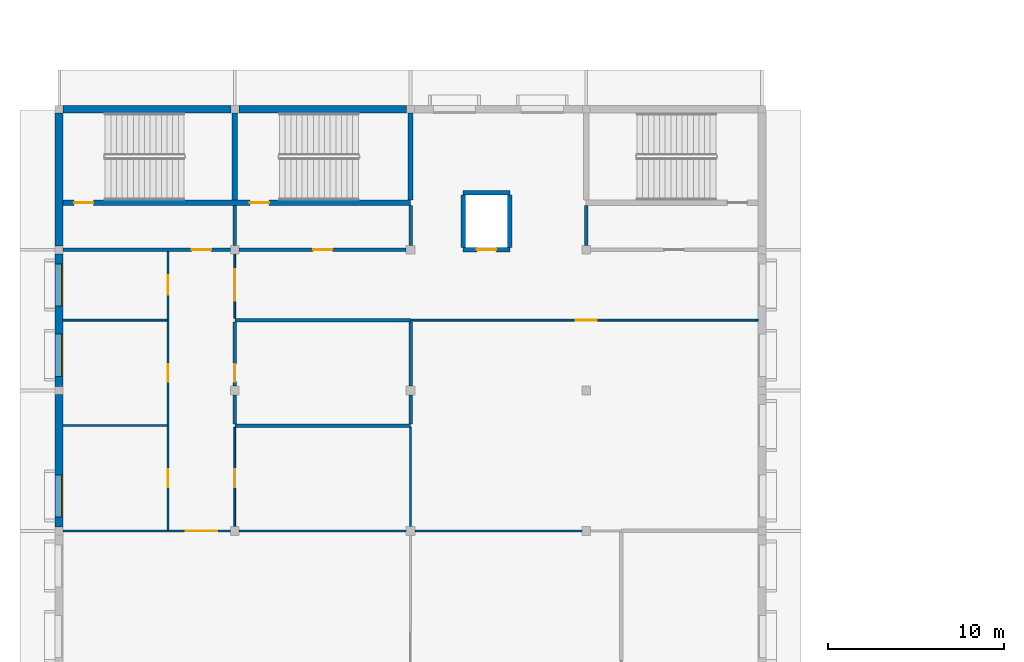
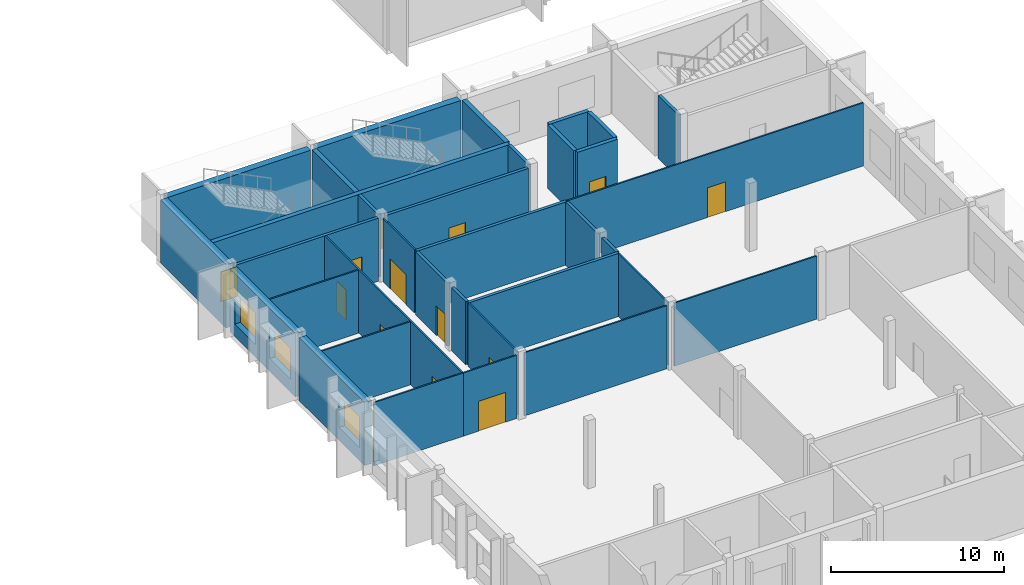
# One storey, part 121 of 182: 34 walls, 13 doors, 3 windows, 16 openings.
"""IFC4 building model written with IfcOpenShell, lengths in metres."""

from ifc_helpers import new_model, si_unit, direction, frame, frame_2d, origin, place, context, subcontext, project, spatial, rectangle, extrude, material, layer, layer_set, type_object, element, fill, save


model = new_model("IFC4")

# Units and contexts
model_context = context("Model", 3, precision=1e-05, world=origin(), true_north=direction((0.0, 1.0)))
body_context = subcontext(model_context, "Body", "Model", "MODEL_VIEW")
ifc_project = project(units=[si_unit("LENGTHUNIT", "METRE"), si_unit("AREAUNIT", "SQUARE_METRE"), si_unit("VOLUMEUNIT", "CUBIC_METRE"), si_unit("PLANEANGLEUNIT", "RADIAN"), si_unit("MASSUNIT", "GRAM", prefix="KILO")], contexts=[model_context])

# Site, building, storey
site_placement = place(None, origin())
site = spatial("IfcSite", under=ifc_project, at=site_placement, CompositionType="ELEMENT")
building_placement = place(site_placement, origin())
building = spatial("IfcBuilding", under=site, at=building_placement, Name="Okhra Congress Centre", CompositionType="ELEMENT")
storey_placement = place(building_placement, frame((0.0, 0.0, 7.199951171875)))
storey = spatial("IfcBuildingStorey", under=building, at=storey_placement, Name="L01", CompositionType="ELEMENT", Elevation=7.199951171875)

# Wall, opening, window
ifc_material_1 = material(Name="Insulated metal panel on steel stud (mineral wool, vapour barrier)", Category="steel")
ifc_layer_1 = layer(ifc_material_1, 0.449951171875)
ifc_layer_set_1 = layer_set([ifc_layer_1], Name="Insulated wall 450")
wall_type_1 = type_object("IfcWallType", Name="Insulated wall 450", PredefinedType="SOLIDWALL", material=ifc_layer_set_1)
wall_1_placement = place(storey_placement, frame((6.0, 67.77490234375, 0.0), z_axis=(0.0, 0.0, 1.0), x_axis=(0.0, -1.0, 0.0)))
wall_1 = element("IfcWall", 1, at=wall_1_placement, inside=storey, type_object=wall_type_1, Name="RS.WALL.L01.34", PredefinedType="SOLIDWALL", context=body_context, shape_type="SweptSolid", body=[
    extrude(rectangle(XDim=7.5498046875, YDim=0.449951171875, at=frame_2d((3.77490234375, 0.0))), origin(), (0.0, 0.0, 1.0), 4.449951171875),
])
opening_1_placement = place(wall_1_placement, frame((4.574951171875, 0.0, 0.89990234375)))
opening_1 = element("IfcOpeningElement", 2, at=opening_1_placement, cuts=wall_1, Name="Opening WN17", PredefinedType="OPENING", context=body_context, shape_type="SweptSolid", body=[
    extrude(rectangle(XDim=2.39990234375, YDim=2.199951171875, at=frame_2d((1.199951171875, 1.10009765625))), frame((0.0, 0.23486328125, 0.0), z_axis=(0.0, -1.0, 0.0), x_axis=(1.0, 0.0, 0.0)), (0.0, 0.0, 1.0), 0.469970703125),
])
ifc_material_2 = material(Name="Thermally broken aluminium frame, triple glazing", Category="aluminium")
window_type = type_object("IfcWindowType", Name="Tilt-and-turn window 2400x2200", PartitioningType="SINGLE_PANEL", PredefinedType="WINDOW", material=ifc_material_2)
window_1_placement = place(opening_1_placement, origin())
window_1 = element("IfcWindow", 3, at=window_1_placement, inside=storey, type_object=window_type, Name="RS.WIN.L01.14", OverallHeight=2.199951171875, OverallWidth=2.39990234375, PartitioningType="SINGLE_PANEL", PredefinedType="WINDOW", context=body_context, shape_type="SweptSolid", body=[
    extrude(rectangle(XDim=2.39990234375, YDim=2.199951171875, at=frame_2d((1.199951171875, 1.10009765625))), frame((0.0, 0.215087890625, 0.0), z_axis=(0.0, -1.0, 0.0), x_axis=(1.0, 0.0, 0.0)), (0.0, 0.0, 1.0), 0.06005859375),
])
fill(opening_1, window_1)

# Wall, openings, windows
wall_2_placement = place(storey_placement, frame((6.0, 75.77490234375, 0.0), z_axis=(0.0, 0.0, 1.0), x_axis=(0.0, -1.0, 0.0)))
wall_2 = element("IfcWall", 4, at=wall_2_placement, inside=storey, type_object=wall_type_1, Name="RS.WALL.L01.35", PredefinedType="SOLIDWALL", context=body_context, shape_type="SweptSolid", body=[
    extrude(rectangle(XDim=7.5498046875, YDim=0.449951171875, at=frame_2d((3.77490234375, 0.0))), origin(), (0.0, 0.0, 1.0), 4.449951171875),
])
opening_2_placement = place(wall_2_placement, frame((4.574951171875, 0.0, 0.89990234375)))
opening_2 = element("IfcOpeningElement", 5, at=opening_2_placement, cuts=wall_2, Name="Opening WN17", PredefinedType="OPENING", context=body_context, shape_type="SweptSolid", body=[
    extrude(rectangle(XDim=2.39990234375, YDim=2.199951171875, at=frame_2d((1.199951171875, 1.10009765625))), frame((0.0, 0.23486328125, 0.0), z_axis=(0.0, -1.0, 0.0), x_axis=(1.0, 0.0, 0.0)), (0.0, 0.0, 1.0), 0.469970703125),
])
opening_3_placement = place(wall_2_placement, frame((0.574951171875, 0.0, 0.89990234375)))
opening_3 = element("IfcOpeningElement", 6, at=opening_3_placement, cuts=wall_2, Name="Opening WN17", PredefinedType="OPENING", context=body_context, shape_type="SweptSolid", body=[
    extrude(rectangle(XDim=2.39990234375, YDim=2.199951171875, at=frame_2d((1.199951171875, 1.10009765625))), frame((0.0, 0.23486328125, 0.0), z_axis=(0.0, -1.0, 0.0), x_axis=(1.0, 0.0, 0.0)), (0.0, 0.0, 1.0), 0.469970703125),
])
window_2_placement = place(opening_2_placement, origin())
window_2 = element("IfcWindow", 7, at=window_2_placement, inside=storey, type_object=window_type, Name="RS.WIN.L01.15", OverallHeight=2.199951171875, OverallWidth=2.39990234375, PartitioningType="SINGLE_PANEL", PredefinedType="WINDOW", context=body_context, shape_type="SweptSolid", body=[
    extrude(rectangle(XDim=2.39990234375, YDim=2.199951171875, at=frame_2d((1.199951171875, 1.10009765625))), frame((0.0, 0.215087890625, 0.0), z_axis=(0.0, -1.0, 0.0), x_axis=(1.0, 0.0, 0.0)), (0.0, 0.0, 1.0), 0.06005859375),
])
fill(opening_2, window_2)
window_3_placement = place(opening_3_placement, origin())
window_3 = element("IfcWindow", 8, at=window_3_placement, inside=storey, type_object=window_type, Name="RS.WIN.L01.16", OverallHeight=2.199951171875, OverallWidth=2.39990234375, PartitioningType="SINGLE_PANEL", PredefinedType="WINDOW", context=body_context, shape_type="SweptSolid", body=[
    extrude(rectangle(XDim=2.39990234375, YDim=2.199951171875, at=frame_2d((1.199951171875, 1.10009765625))), frame((0.0, 0.215087890625, 0.0), z_axis=(0.0, -1.0, 0.0), x_axis=(1.0, 0.0, 0.0)), (0.0, 0.0, 1.0), 0.06005859375),
])
fill(opening_3, window_3)

# Walls
ifc_material_3 = material(Name="Masonry blockwork (aerated concrete D500)", Category="masonry")
ifc_layer_2 = layer(ifc_material_3, 0.199951171875)
ifc_layer_set_2 = layer_set([ifc_layer_2], Name="Masonry block wall 200 EI 45")
wall_type_2 = type_object("IfcWallType", Name="Masonry block wall 200 EI 45", PredefinedType="SOLIDWALL", material=ifc_layer_set_2)
for number, where, z_axis, x_axis, name in (
    (9, (16.0, 66.0, 0.0), (0.0, 0.0, 1.0), (1.0, 0.0, 0.0), "RS.WALL.L01.16"),
    (10, (16.0, 72.0, 0.0), (0.0, 0.0, 1.0), (1.0, 0.0, 0.0), "RS.WALL.L01.18"),
):
    element("IfcWall", number, at=place(storey_placement, frame(where, z_axis=z_axis, x_axis=x_axis)), inside=storey, type_object=wall_type_2, Name=name, PredefinedType="SOLIDWALL", context=body_context, shape_type="SweptSolid", body=[
        extrude(rectangle(XDim=10.0, YDim=0.199951171875, at=frame_2d((5.0, 0.0))), origin(), (0.0, 0.0, 1.0), 4.449951171875),
    ])

# Wall, opening, door
wall_3_placement = place(storey_placement, frame((6.22509765625, 76.0, 0.0), z_axis=(0.0, 0.0, 1.0), x_axis=(1.0, 0.0, 0.0)))
wall_3 = element("IfcWall", 11, at=wall_3_placement, inside=storey, type_object=wall_type_2, Name="RS.WALL.L01.20", PredefinedType="SOLIDWALL", context=body_context, shape_type="SweptSolid", body=[
    extrude(rectangle(XDim=9.52490234375, YDim=0.199951171875, at=frame_2d((4.762451171875, 0.0))), origin(), (0.0, 0.0, 1.0), 4.449951171875),
])
opening_4_placement = place(wall_3_placement, frame((7.324951171875, 0.0, 0.0)))
opening_4 = element("IfcOpeningElement", 12, at=opening_4_placement, cuts=wall_3, Name="Opening L01-052", PredefinedType="OPENING", context=body_context, shape_type="SweptSolid", body=[
    extrude(rectangle(XDim=1.10009765625, YDim=2.10009765625, at=frame_2d((0.550048828125, 1.050048828125))), frame((0.0, 0.10986328125, 0.0), z_axis=(0.0, -1.0, 0.0), x_axis=(1.0, 0.0, 0.0)), (0.0, 0.0, 1.0), 0.219970703125),
])
ifc_material_4 = material(Name="Steel fire door leaf in steel frame, intumescent seals", Category="steel")
door_type_1 = type_object("IfcDoorType", Name="Steel fire door 1100x2100 EI 30", OperationType="NOTDEFINED", PredefinedType="DOOR", material=ifc_material_4)
door_1_placement = place(opening_4_placement, origin())
door_1 = element("IfcDoor", 13, at=door_1_placement, inside=storey, type_object=door_type_1, Name="Door L01-052", OperationType="SINGLE_SWING_LEFT", OverallHeight=2.10009765625, OverallWidth=1.10009765625, PredefinedType="DOOR", context=body_context, shape_type="SweptSolid", body=[
    extrude(rectangle(XDim=1.10009765625, YDim=2.10009765625, at=frame_2d((0.550048828125, 1.050048828125))), frame((0.0, 0.02490234375, 0.0), z_axis=(0.0, -1.0, 0.0), x_axis=(1.0, 0.0, 0.0)), (0.0, 0.0, 1.0), 0.050048828125),
])
fill(opening_4, door_1)

wall_4_placement = place(storey_placement, frame((16.25, 76.0, 0.0), z_axis=(0.0, 0.0, 1.0), x_axis=(1.0, 0.0, 0.0)))
wall_4 = element("IfcWall", 14, at=wall_4_placement, inside=storey, type_object=wall_type_2, Name="RS.WALL.L01.21", PredefinedType="SOLIDWALL", context=body_context, shape_type="SweptSolid", body=[
    extrude(rectangle(XDim=9.5, YDim=0.199951171875, at=frame_2d((4.75, 0.0))), origin(), (0.0, 0.0, 1.0), 4.449951171875),
])
opening_5_placement = place(wall_4_placement, frame((4.199951171875, 0.0, 0.0)))
opening_5 = element("IfcOpeningElement", 15, at=opening_5_placement, cuts=wall_4, Name="Opening L01-054", PredefinedType="OPENING", context=body_context, shape_type="SweptSolid", body=[
    extrude(rectangle(XDim=1.10009765625, YDim=2.10009765625, at=frame_2d((0.550048828125, 1.050048828125))), frame((0.0, 0.10986328125, 0.0), z_axis=(0.0, -1.0, 0.0), x_axis=(1.0, 0.0, 0.0)), (0.0, 0.0, 1.0), 0.219970703125),
])
door_2_placement = place(opening_5_placement, origin())
door_2 = element("IfcDoor", 16, at=door_2_placement, inside=storey, type_object=door_type_1, Name="Door L01-054", OperationType="SINGLE_SWING_LEFT", OverallHeight=2.10009765625, OverallWidth=1.10009765625, PredefinedType="DOOR", context=body_context, shape_type="SweptSolid", body=[
    extrude(rectangle(XDim=1.10009765625, YDim=2.10009765625, at=frame_2d((0.550048828125, 1.050048828125))), frame((0.0, 0.02490234375, 0.0), z_axis=(0.0, -1.0, 0.0), x_axis=(1.0, 0.0, 0.0)), (0.0, 0.0, 1.0), 0.050048828125),
])
fill(opening_5, door_2)

# Wall
wall_5_placement = place(storey_placement, frame((16.0, 66.10009765625, 0.0), z_axis=(0.0, 0.0, 1.0), x_axis=(0.0, 1.0, 0.0)))
element("IfcWall", 17, at=wall_5_placement, inside=storey, type_object=wall_type_2, Name="RS.WALL.L01.41", PredefinedType="SOLIDWALL", context=body_context, shape_type="SweptSolid", body=[
    extrude(rectangle(XDim=1.64990234375, YDim=0.199951171875, at=frame_2d((0.824951171875, 0.0))), origin(), (0.0, 0.0, 1.0), 4.449951171875),
])

# Wall, opening, door
wall_6_placement = place(storey_placement, frame((16.0, 68.25, 0.0), z_axis=(0.0, 0.0, 1.0), x_axis=(0.0, 1.0, 0.0)))
wall_6 = element("IfcWall", 18, at=wall_6_placement, inside=storey, type_object=wall_type_2, Name="RS.WALL.L01.42", PredefinedType="SOLIDWALL", context=body_context, shape_type="SweptSolid", body=[
    extrude(rectangle(XDim=3.64990234375, YDim=0.199951171875, at=frame_2d((1.824951171875, 0.0))), origin(), (0.0, 0.0, 1.0), 4.449951171875),
])
opening_6_placement = place(wall_6_placement, frame((0.25, 0.0, 0.0)))
opening_6 = element("IfcOpeningElement", 19, at=opening_6_placement, cuts=wall_6, Name="Opening L01-073", PredefinedType="OPENING", context=body_context, shape_type="SweptSolid", body=[
    extrude(rectangle(XDim=1.0, YDim=2.10009765625, at=frame_2d((0.5, 1.050048828125))), frame((0.0, 0.10986328125, 0.0), z_axis=(0.0, -1.0, 0.0), x_axis=(1.0, 0.0, 0.0)), (0.0, 0.0, 1.0), 0.219970703125),
])
door_type_2 = type_object("IfcDoorType", Name="Steel fire door 1000x2100 EI 30", OperationType="NOTDEFINED", PredefinedType="DOOR", material=ifc_material_4)
door_3_placement = place(opening_6_placement, origin())
door_3 = element("IfcDoor", 20, at=door_3_placement, inside=storey, type_object=door_type_2, Name="Door L01-073", OperationType="SINGLE_SWING_RIGHT", OverallHeight=2.10009765625, OverallWidth=1.0, PredefinedType="DOOR", context=body_context, shape_type="SweptSolid", body=[
    extrude(rectangle(XDim=1.0, YDim=2.10009765625, at=frame_2d((0.5, 1.050048828125))), frame((0.0, 0.02490234375, 0.0), z_axis=(0.0, -1.0, 0.0), x_axis=(1.0, 0.0, 0.0)), (0.0, 0.0, 1.0), 0.050048828125),
])
fill(opening_6, door_3)

# Walls
wall_7_placement = place(storey_placement, frame((16.0, 76.25, 0.0), z_axis=(0.0, 0.0, 1.0), x_axis=(0.0, 1.0, 0.0)))
element("IfcWall", 21, at=wall_7_placement, inside=storey, type_object=wall_type_2, Name="RS.WALL.L01.44", PredefinedType="SOLIDWALL", context=body_context, shape_type="SweptSolid", body=[
    extrude(rectangle(XDim=2.27490234375, YDim=0.199951171875, at=frame_2d((1.137451171875, 0.0))), origin(), (0.0, 0.0, 1.0), 4.449951171875),
])
wall_8_placement = place(storey_placement, frame((26.0, 66.10009765625, 0.0), z_axis=(0.0, 0.0, 1.0), x_axis=(0.0, 1.0, 0.0)))
element("IfcWall", 22, at=wall_8_placement, inside=storey, type_object=wall_type_2, Name="RS.WALL.L01.52", PredefinedType="SOLIDWALL", context=body_context, shape_type="SweptSolid", body=[
    extrude(rectangle(XDim=1.64990234375, YDim=0.199951171875, at=frame_2d((0.824951171875, 0.0))), origin(), (0.0, 0.0, 1.0), 4.449951171875),
])
wall_9_placement = place(storey_placement, frame((26.0, 68.25, 0.0), z_axis=(0.0, 0.0, 1.0), x_axis=(0.0, 1.0, 0.0)))
element("IfcWall", 23, at=wall_9_placement, inside=storey, type_object=wall_type_2, Name="RS.WALL.L01.53", PredefinedType="SOLIDWALL", context=body_context, shape_type="SweptSolid", body=[
    extrude(rectangle(XDim=3.64990234375, YDim=0.199951171875, at=frame_2d((1.824951171875, 0.0))), origin(), (0.0, 0.0, 1.0), 4.449951171875),
])
for number, where, z_axis, x_axis, name in (
    (24, (26.0, 76.25, 0.0), (0.0, 0.0, 1.0), (0.0, 1.0, 0.0), "RS.WALL.L01.54"),
    (25, (36.0, 76.25, 0.0), (0.0, 0.0, 1.0), (0.0, 1.0, 0.0), "RS.WALL.L01.60"),
):
    element("IfcWall", number, at=place(storey_placement, frame(where, z_axis=z_axis, x_axis=x_axis)), inside=storey, type_object=wall_type_2, Name=name, PredefinedType="SOLIDWALL", context=body_context, shape_type="SweptSolid", body=[
        extrude(rectangle(XDim=2.27490234375, YDim=0.199951171875, at=frame_2d((1.137451171875, 0.0))), origin(), (0.0, 0.0, 1.0), 4.449951171875),
    ])
ifc_material_5 = material(Name="Gypsum board on steel studs", Category="steel")
ifc_layer_3 = layer(ifc_material_5, 0.10009765625)
ifc_layer_set_3 = layer_set([ifc_layer_3], Name="Partition 100 EI 15")
wall_type_3 = type_object("IfcWallType", Name="Partition 100 EI 15", PredefinedType="PARTITIONING", material=ifc_layer_set_3)
wall_10_placement = place(storey_placement, frame((6.22509765625, 60.0, 0.0), z_axis=(0.0, 0.0, 1.0), x_axis=(1.0, 0.0, 0.0)))
element("IfcWall", 26, at=wall_10_placement, inside=storey, type_object=wall_type_3, Name="RS.WALL.L01.9", PredefinedType="PARTITIONING", context=body_context, shape_type="SweptSolid", body=[
    extrude(rectangle(XDim=5.974853515625, YDim=0.10009765625, at=frame_2d((2.9873046875, 0.0))), origin(), (0.0, 0.0, 1.0), 4.449951171875),
])

# Wall, opening, door
wall_11_placement = place(storey_placement, frame((12.199951171875, 60.0, 0.0), z_axis=(0.0, 0.0, 1.0), x_axis=(1.0, 0.0, 0.0)))
wall_11 = element("IfcWall", 27, at=wall_11_placement, inside=storey, type_object=wall_type_3, Name="RS.WALL.L01.10", PredefinedType="PARTITIONING", context=body_context, shape_type="SweptSolid", body=[
    extrude(rectangle(XDim=3.550048828125, YDim=0.10009765625, at=frame_2d((1.77490234375, 0.0))), origin(), (0.0, 0.0, 1.0), 4.449951171875),
])
opening_7_placement = place(wall_11_placement, frame((1.0, 0.0, 0.0)))
opening_7 = element("IfcOpeningElement", 28, at=opening_7_placement, cuts=wall_11, Name="Opening L01-069", PredefinedType="OPENING", context=body_context, shape_type="SweptSolid", body=[
    extrude(rectangle(XDim=1.800048828125, YDim=2.10009765625, at=frame_2d((0.89990234375, 1.050048828125))), frame((0.0, 0.06005859375, 0.0), z_axis=(0.0, -1.0, 0.0), x_axis=(1.0, 0.0, 0.0)), (0.0, 0.0, 1.0), 0.1201171875),
])
ifc_material_6 = material(Name="Timber door leaves in steel frame", Category="steel")
door_type_3 = type_object("IfcDoorType", Name="Double swing door 1800x2100", OperationType="NOTDEFINED", PredefinedType="DOOR", material=ifc_material_6)
door_4_placement = place(opening_7_placement, origin())
door_4 = element("IfcDoor", 29, at=door_4_placement, inside=storey, type_object=door_type_3, Name="Door L01-069", OperationType="DOUBLE_DOOR_SINGLE_SWING", OverallHeight=2.10009765625, OverallWidth=1.800048828125, PredefinedType="DOOR", context=body_context, shape_type="SweptSolid", body=[
    extrude(rectangle(XDim=1.800048828125, YDim=2.10009765625, at=frame_2d((0.89990234375, 1.050048828125))), frame((0.0, 0.02490234375, 0.0), z_axis=(0.0, -1.0, 0.0), x_axis=(1.0, 0.0, 0.0)), (0.0, 0.0, 1.0), 0.050048828125),
])
fill(opening_7, door_4)

# Walls
for number, where, z_axis, x_axis, name in (
    (30, (16.25, 60.0, 0.0), (0.0, 0.0, 1.0), (1.0, 0.0, 0.0), "RS.WALL.L01.11"),
    (31, (26.25, 60.0, 0.0), (0.0, 0.0, 1.0), (1.0, 0.0, 0.0), "RS.WALL.L01.12"),
):
    element("IfcWall", number, at=place(storey_placement, frame(where, z_axis=z_axis, x_axis=x_axis)), inside=storey, type_object=wall_type_3, Name=name, PredefinedType="PARTITIONING", context=body_context, shape_type="SweptSolid", body=[
        extrude(rectangle(XDim=9.5, YDim=0.10009765625, at=frame_2d((4.75, 0.0))), origin(), (0.0, 0.0, 1.0), 4.449951171875),
    ])
for number, where, z_axis, x_axis, name in (
    (32, (6.22509765625, 66.0, 0.0), (0.0, 0.0, 1.0), (1.0, 0.0, 0.0), "RS.WALL.L01.15"),
    (33, (6.22509765625, 72.0, 0.0), (0.0, 0.0, 1.0), (1.0, 0.0, 0.0), "RS.WALL.L01.17"),
):
    element("IfcWall", number, at=place(storey_placement, frame(where, z_axis=z_axis, x_axis=x_axis)), inside=storey, type_object=wall_type_3, Name=name, PredefinedType="PARTITIONING", context=body_context, shape_type="SweptSolid", body=[
        extrude(rectangle(XDim=5.9248046875, YDim=0.10009765625, at=frame_2d((2.96240234375, 0.0))), origin(), (0.0, 0.0, 1.0), 4.449951171875),
    ])

# Wall, opening, door
wall_12_placement = place(storey_placement, frame((26.0, 72.0, 0.0), z_axis=(0.0, 0.0, 1.0), x_axis=(1.0, 0.0, 0.0)))
wall_12 = element("IfcWall", 34, at=wall_12_placement, inside=storey, type_object=wall_type_3, Name="RS.WALL.L01.19", PredefinedType="PARTITIONING", context=body_context, shape_type="SweptSolid", body=[
    extrude(rectangle(XDim=19.77490234375, YDim=0.10009765625, at=frame_2d((9.887451171875, 0.0))), origin(), (0.0, 0.0, 1.0), 4.449951171875),
])
opening_8_placement = place(wall_12_placement, frame((9.39990234375, 0.0, 0.0)))
opening_8 = element("IfcOpeningElement", 35, at=opening_8_placement, cuts=wall_12, Name="Opening L01-074", PredefinedType="OPENING", context=body_context, shape_type="SweptSolid", body=[
    extrude(rectangle(XDim=1.199951171875, YDim=2.10009765625, at=frame_2d((0.60009765625, 1.050048828125))), frame((0.0, 0.06005859375, 0.0), z_axis=(0.0, -1.0, 0.0), x_axis=(1.0, 0.0, 0.0)), (0.0, 0.0, 1.0), 0.1201171875),
])
ifc_material_7 = material(Name="Timber door leaf in steel frame", Category="steel")
door_type_4 = type_object("IfcDoorType", Name="Single swing door 1200x2100", OperationType="NOTDEFINED", PredefinedType="DOOR", material=ifc_material_7)
door_5_placement = place(opening_8_placement, origin())
door_5 = element("IfcDoor", 36, at=door_5_placement, inside=storey, type_object=door_type_4, Name="Door L01-074", OperationType="SINGLE_SWING_LEFT", OverallHeight=2.10009765625, OverallWidth=1.199951171875, PredefinedType="DOOR", context=body_context, shape_type="SweptSolid", body=[
    extrude(rectangle(XDim=1.199951171875, YDim=2.10009765625, at=frame_2d((0.60009765625, 1.050048828125))), frame((0.0, 0.02490234375, 0.0), z_axis=(0.0, -1.0, 0.0), x_axis=(1.0, 0.0, 0.0)), (0.0, 0.0, 1.0), 0.050048828125),
])
fill(opening_8, door_5)

# Wall, openings, doors
wall_13_placement = place(storey_placement, frame((12.199951171875, 60.050048828125, 0.0), z_axis=(0.0, 0.0, 1.0), x_axis=(0.0, 1.0, 0.0)))
wall_13 = element("IfcWall", 37, at=wall_13_placement, inside=storey, type_object=wall_type_3, Name="RS.WALL.L01.38", PredefinedType="PARTITIONING", context=body_context, shape_type="SweptSolid", body=[
    extrude(rectangle(XDim=15.849853515625, YDim=0.10009765625, at=frame_2d((7.9248046875, 0.0))), origin(), (0.0, 0.0, 1.0), 4.449951171875),
])
opening_9_placement = place(wall_13_placement, frame((2.449951171875, 0.0, 0.0)))
opening_9 = element("IfcOpeningElement", 38, at=opening_9_placement, cuts=wall_13, Name="Opening L01-060", PredefinedType="OPENING", context=body_context, shape_type="SweptSolid", body=[
    extrude(rectangle(XDim=1.0, YDim=2.10009765625, at=frame_2d((0.5, 1.050048828125))), frame((0.0, 0.06005859375, 0.0), z_axis=(0.0, -1.0, 0.0), x_axis=(1.0, 0.0, 0.0)), (0.0, 0.0, 1.0), 0.1201171875),
])
opening_10_placement = place(wall_13_placement, frame((8.449951171875, 0.0, 0.0)))
opening_10 = element("IfcOpeningElement", 39, at=opening_10_placement, cuts=wall_13, Name="Opening L01-061", PredefinedType="OPENING", context=body_context, shape_type="SweptSolid", body=[
    extrude(rectangle(XDim=1.0, YDim=2.10009765625, at=frame_2d((0.5, 1.050048828125))), frame((0.0, 0.06005859375, 0.0), z_axis=(0.0, -1.0, 0.0), x_axis=(1.0, 0.0, 0.0)), (0.0, 0.0, 1.0), 0.1201171875),
])
opening_11_placement = place(wall_13_placement, frame((13.39990234375, 0.0, 0.0)))
opening_11 = element("IfcOpeningElement", 40, at=opening_11_placement, cuts=wall_13, Name="Opening L01-062", PredefinedType="OPENING", context=body_context, shape_type="SweptSolid", body=[
    extrude(rectangle(XDim=1.10009765625, YDim=2.10009765625, at=frame_2d((0.550048828125, 1.050048828125))), frame((0.0, 0.06005859375, 0.0), z_axis=(0.0, -1.0, 0.0), x_axis=(1.0, 0.0, 0.0)), (0.0, 0.0, 1.0), 0.1201171875),
])
door_type_5 = type_object("IfcDoorType", Name="Single swing door 1000x2100", OperationType="NOTDEFINED", PredefinedType="DOOR", material=ifc_material_7)
door_6_placement = place(opening_9_placement, frame((1.0, 0.0, 0.0), z_axis=(0.0, 0.0, 1.0), x_axis=(-1.0, 0.0, 0.0)))
door_6 = element("IfcDoor", 41, at=door_6_placement, inside=storey, type_object=door_type_5, Name="Door L01-060", OperationType="SINGLE_SWING_RIGHT", OverallHeight=2.10009765625, OverallWidth=1.0, PredefinedType="DOOR", context=body_context, shape_type="SweptSolid", body=[
    extrude(rectangle(XDim=1.0, YDim=2.10009765625, at=frame_2d((0.5, 1.050048828125))), frame((0.0, 0.02490234375, 0.0), z_axis=(0.0, -1.0, 0.0), x_axis=(1.0, 0.0, 0.0)), (0.0, 0.0, 1.0), 0.050048828125),
])
fill(opening_9, door_6)
door_7_placement = place(opening_10_placement, frame((1.0, 0.0, 0.0), z_axis=(0.0, 0.0, 1.0), x_axis=(-1.0, 0.0, 0.0)))
door_7 = element("IfcDoor", 42, at=door_7_placement, inside=storey, type_object=door_type_5, Name="Door L01-061", OperationType="SINGLE_SWING_LEFT", OverallHeight=2.10009765625, OverallWidth=1.0, PredefinedType="DOOR", context=body_context, shape_type="SweptSolid", body=[
    extrude(rectangle(XDim=1.0, YDim=2.10009765625, at=frame_2d((0.5, 1.050048828125))), frame((0.0, 0.02490234375, 0.0), z_axis=(0.0, -1.0, 0.0), x_axis=(1.0, 0.0, 0.0)), (0.0, 0.0, 1.0), 0.050048828125),
])
fill(opening_10, door_7)
door_type_6 = type_object("IfcDoorType", Name="Single swing door 1100x2100", OperationType="NOTDEFINED", PredefinedType="DOOR", material=ifc_material_7)
door_8_placement = place(opening_11_placement, frame((1.10009765625, 0.0, 0.0), z_axis=(0.0, 0.0, 1.0), x_axis=(-1.0, 0.0, 0.0)))
door_8 = element("IfcDoor", 43, at=door_8_placement, inside=storey, type_object=door_type_6, Name="Door L01-062", OperationType="SINGLE_SWING_RIGHT", OverallHeight=2.10009765625, OverallWidth=1.10009765625, PredefinedType="DOOR", context=body_context, shape_type="SweptSolid", body=[
    extrude(rectangle(XDim=1.10009765625, YDim=2.10009765625, at=frame_2d((0.550048828125, 1.050048828125))), frame((0.0, 0.02490234375, 0.0), z_axis=(0.0, -1.0, 0.0), x_axis=(1.0, 0.0, 0.0)), (0.0, 0.0, 1.0), 0.050048828125),
])
fill(opening_11, door_8)

# Wall, opening, door
wall_14_placement = place(storey_placement, frame((16.0, 60.25, 0.0), z_axis=(0.0, 0.0, 1.0), x_axis=(0.0, 1.0, 0.0)))
wall_14 = element("IfcWall", 44, at=wall_14_placement, inside=storey, type_object=wall_type_3, Name="RS.WALL.L01.40", PredefinedType="PARTITIONING", context=body_context, shape_type="SweptSolid", body=[
    extrude(rectangle(XDim=5.64990234375, YDim=0.10009765625, at=frame_2d((2.824951171875, 0.0))), origin(), (0.0, 0.0, 1.0), 4.449951171875),
])
opening_12_placement = place(wall_14_placement, frame((2.25, 0.0, 0.0)))
opening_12 = element("IfcOpeningElement", 45, at=opening_12_placement, cuts=wall_14, Name="Opening L01-072", PredefinedType="OPENING", context=body_context, shape_type="SweptSolid", body=[
    extrude(rectangle(XDim=1.0, YDim=2.10009765625, at=frame_2d((0.5, 1.050048828125))), frame((0.0, 0.06005859375, 0.0), z_axis=(0.0, -1.0, 0.0), x_axis=(1.0, 0.0, 0.0)), (0.0, 0.0, 1.0), 0.1201171875),
])
door_9_placement = place(opening_12_placement, origin())
door_9 = element("IfcDoor", 46, at=door_9_placement, inside=storey, type_object=door_type_5, Name="Door L01-072", OperationType="SINGLE_SWING_LEFT", OverallHeight=2.10009765625, OverallWidth=1.0, PredefinedType="DOOR", context=body_context, shape_type="SweptSolid", body=[
    extrude(rectangle(XDim=1.0, YDim=2.10009765625, at=frame_2d((0.5, 1.050048828125))), frame((0.0, 0.02490234375, 0.0), z_axis=(0.0, -1.0, 0.0), x_axis=(1.0, 0.0, 0.0)), (0.0, 0.0, 1.0), 0.050048828125),
])
fill(opening_12, door_9)

wall_15_placement = place(storey_placement, frame((16.0, 72.10009765625, 0.0), z_axis=(0.0, 0.0, 1.0), x_axis=(0.0, 1.0, 0.0)))
wall_15 = element("IfcWall", 47, at=wall_15_placement, inside=storey, type_object=wall_type_3, Name="RS.WALL.L01.43", PredefinedType="PARTITIONING", context=body_context, shape_type="SweptSolid", body=[
    extrude(rectangle(XDim=3.64990234375, YDim=0.10009765625, at=frame_2d((1.824951171875, 0.0))), origin(), (0.0, 0.0, 1.0), 4.449951171875),
])
opening_13_placement = place(wall_15_placement, frame((1.0, 0.0, 0.0)))
opening_13 = element("IfcOpeningElement", 48, at=opening_13_placement, cuts=wall_15, Name="Opening L01-075", PredefinedType="OPENING", context=body_context, shape_type="SweptSolid", body=[
    extrude(rectangle(XDim=1.800048828125, YDim=2.10009765625, at=frame_2d((0.89990234375, 1.050048828125))), frame((0.0, 0.06005859375, 0.0), z_axis=(0.0, -1.0, 0.0), x_axis=(1.0, 0.0, 0.0)), (0.0, 0.0, 1.0), 0.1201171875),
])
door_10_placement = place(opening_13_placement, origin())
door_10 = element("IfcDoor", 49, at=door_10_placement, inside=storey, type_object=door_type_3, Name="Door L01-075", OperationType="DOUBLE_DOOR_SINGLE_SWING", OverallHeight=2.10009765625, OverallWidth=1.800048828125, PredefinedType="DOOR", context=body_context, shape_type="SweptSolid", body=[
    extrude(rectangle(XDim=1.800048828125, YDim=2.10009765625, at=frame_2d((0.89990234375, 1.050048828125))), frame((0.0, 0.02490234375, 0.0), z_axis=(0.0, -1.0, 0.0), x_axis=(1.0, 0.0, 0.0)), (0.0, 0.0, 1.0), 0.050048828125),
])
fill(opening_13, door_10)

# Wall
wall_16_placement = place(storey_placement, frame((26.0, 60.25, 0.0), z_axis=(0.0, 0.0, 1.0), x_axis=(0.0, 1.0, 0.0)))
element("IfcWall", 50, at=wall_16_placement, inside=storey, type_object=wall_type_3, Name="RS.WALL.L01.51", PredefinedType="PARTITIONING", context=body_context, shape_type="SweptSolid", body=[
    extrude(rectangle(XDim=5.64990234375, YDim=0.10009765625, at=frame_2d((2.824951171875, 0.0))), origin(), (0.0, 0.0, 1.0), 4.449951171875),
])

# Wall, openings, doors
ifc_material_8 = material(Name="Concrete C35/45", Category="concrete")
ifc_layer_4 = layer(ifc_material_8, 0.300048828125)
ifc_layer_set_4 = layer_set([ifc_layer_4], Name="RC core wall 300 REI 120 C35/45")
wall_type_4 = type_object("IfcWallType", Name="RC core wall 300 REI 120 C35/45", PredefinedType="SHEAR", material=ifc_layer_set_4)
wall_17_placement = place(storey_placement, frame((6.22509765625, 78.675048828125, 0.0), z_axis=(0.0, 0.0, 1.0), x_axis=(1.0, 0.0, 0.0)))
wall_17 = element("IfcWall", 51, at=wall_17_placement, inside=storey, type_object=wall_type_4, Name="RS.WALL.L01.24", PredefinedType="SHEAR", context=body_context, shape_type="SweptSolid", body=[
    extrude(rectangle(XDim=19.77490234375, YDim=0.300048828125, at=frame_2d((9.887451171875, 0.0))), origin(), (0.0, 0.0, 1.0), 4.449951171875),
])
opening_14_placement = place(wall_17_placement, frame((0.625, 0.0, 0.0)))
opening_14 = element("IfcOpeningElement", 52, at=opening_14_placement, cuts=wall_17, Name="Opening L01-053", PredefinedType="OPENING", context=body_context, shape_type="SweptSolid", body=[
    extrude(rectangle(XDim=1.10009765625, YDim=2.10009765625, at=frame_2d((0.550048828125, 1.050048828125))), frame((0.0, 0.159912109375, 0.0), z_axis=(0.0, -1.0, 0.0), x_axis=(1.0, 0.0, 0.0)), (0.0, 0.0, 1.0), 0.320068359375),
])
opening_15_placement = place(wall_17_placement, frame((10.625, 0.0, 0.0)))
opening_15 = element("IfcOpeningElement", 53, at=opening_15_placement, cuts=wall_17, Name="Opening L01-055", PredefinedType="OPENING", context=body_context, shape_type="SweptSolid", body=[
    extrude(rectangle(XDim=1.10009765625, YDim=2.10009765625, at=frame_2d((0.550048828125, 1.050048828125))), frame((0.0, 0.159912109375, 0.0), z_axis=(0.0, -1.0, 0.0), x_axis=(1.0, 0.0, 0.0)), (0.0, 0.0, 1.0), 0.320068359375),
])
door_11_placement = place(opening_14_placement, origin())
door_11 = element("IfcDoor", 54, at=door_11_placement, inside=storey, type_object=door_type_1, Name="Door L01-053", OperationType="SINGLE_SWING_RIGHT", OverallHeight=2.10009765625, OverallWidth=1.10009765625, PredefinedType="DOOR", context=body_context, shape_type="SweptSolid", body=[
    extrude(rectangle(XDim=1.10009765625, YDim=2.10009765625, at=frame_2d((0.550048828125, 1.050048828125))), frame((0.0, 0.02490234375, 0.0), z_axis=(0.0, -1.0, 0.0), x_axis=(1.0, 0.0, 0.0)), (0.0, 0.0, 1.0), 0.050048828125),
])
fill(opening_14, door_11)
door_12_placement = place(opening_15_placement, origin())
door_12 = element("IfcDoor", 55, at=door_12_placement, inside=storey, type_object=door_type_1, Name="Door L01-055", OperationType="SINGLE_SWING_RIGHT", OverallHeight=2.10009765625, OverallWidth=1.10009765625, PredefinedType="DOOR", context=body_context, shape_type="SweptSolid", body=[
    extrude(rectangle(XDim=1.10009765625, YDim=2.10009765625, at=frame_2d((0.550048828125, 1.050048828125))), frame((0.0, 0.02490234375, 0.0), z_axis=(0.0, -1.0, 0.0), x_axis=(1.0, 0.0, 0.0)), (0.0, 0.0, 1.0), 0.050048828125),
])
fill(opening_15, door_12)

# Walls
for number, where, z_axis, x_axis, name in (
    (56, (16.0, 78.824951171875, 0.0), (0.0, 0.0, 1.0), (0.0, 1.0, 0.0), "RS.WALL.L01.45"),
    (57, (26.0, 78.824951171875, 0.0), (0.0, 0.0, 1.0), (0.0, 1.0, 0.0), "RS.WALL.L01.55"),
):
    element("IfcWall", number, at=place(storey_placement, frame(where, z_axis=z_axis, x_axis=x_axis)), inside=storey, type_object=wall_type_4, Name=name, PredefinedType="SHEAR", context=body_context, shape_type="SweptSolid", body=[
        extrude(rectangle(XDim=4.949951171875, YDim=0.300048828125, at=frame_2d((2.47509765625, 0.0))), origin(), (0.0, 0.0, 1.0), 4.449951171875),
    ])
ifc_material_9 = material(Name="Concrete C30/37", Category="concrete")
ifc_layer_5 = layer(ifc_material_9, 0.449951171875)
ifc_layer_set_5 = layer_set([ifc_layer_5], Name="RC facade wall 450 REI 120 C30/37")
wall_type_5 = type_object("IfcWallType", Name="RC facade wall 450 REI 120 C30/37", PredefinedType="SOLIDWALL", material=ifc_layer_set_5)
for number, where, z_axis, x_axis, name in (
    (58, (15.77490234375, 84.0, 0.0), (0.0, 0.0, 1.0), (-1.0, 0.0, 0.0), "RS.WALL.L01.27"),
    (59, (25.77490234375, 84.0, 0.0), (0.0, 0.0, 1.0), (-1.0, 0.0, 0.0), "RS.WALL.L01.28"),
):
    element("IfcWall", number, at=place(storey_placement, frame(where, z_axis=z_axis, x_axis=x_axis)), inside=storey, type_object=wall_type_5, Name=name, PredefinedType="SOLIDWALL", context=body_context, shape_type="SweptSolid", body=[
        extrude(rectangle(XDim=9.5498046875, YDim=0.449951171875, at=frame_2d((4.77490234375, 0.0))), origin(), (0.0, 0.0, 1.0), 4.449951171875),
    ])
wall_18_placement = place(storey_placement, frame((6.0, 83.77490234375, 0.0), z_axis=(0.0, 0.0, 1.0), x_axis=(0.0, -1.0, 0.0)))
element("IfcWall", 60, at=wall_18_placement, inside=storey, type_object=wall_type_5, Name="RS.WALL.L01.36", PredefinedType="SOLIDWALL", context=body_context, shape_type="SweptSolid", body=[
    extrude(rectangle(XDim=7.5498046875, YDim=0.449951171875, at=frame_2d((3.77490234375, 0.0))), origin(), (0.0, 0.0, 1.0), 4.449951171875),
])

# Wall, opening, door
ifc_layer_6 = layer(ifc_material_9, 0.25)
ifc_layer_set_6 = layer_set([ifc_layer_6], Name="RC wall 250 REI 120 C30/37")
wall_type_6 = type_object("IfcWallType", Name="RC wall 250 REI 120 C30/37", PredefinedType="SOLIDWALL", material=ifc_layer_set_6)
wall_19_placement = place(storey_placement, frame((29.0, 76.0, 0.0), z_axis=(0.0, 0.0, 1.0), x_axis=(1.0, 0.0, 0.0)))
wall_19 = element("IfcWall", 61, at=wall_19_placement, inside=storey, type_object=wall_type_6, Name="RS.WALL.L01.22", PredefinedType="SOLIDWALL", context=body_context, shape_type="SweptSolid", body=[
    extrude(rectangle(XDim=2.64990234375, YDim=0.25, at=frame_2d((1.324951171875, 0.0))), origin(), (0.0, 0.0, 1.0), 4.449951171875),
])
opening_16_placement = place(wall_19_placement, frame((0.77490234375, 0.0, 0.0)))
opening_16 = element("IfcOpeningElement", 62, at=opening_16_placement, cuts=wall_19, Name="Opening L01-076", PredefinedType="OPENING", context=body_context, shape_type="SweptSolid", body=[
    extrude(rectangle(XDim=1.10009765625, YDim=2.10009765625, at=frame_2d((0.550048828125, 1.050048828125))), frame((0.0, 0.135009765625, 0.0), z_axis=(0.0, -1.0, 0.0), x_axis=(1.0, 0.0, 0.0)), (0.0, 0.0, 1.0), 0.27001953125),
])
ifc_material_10 = material(Name="Stainless steel sliding landing door leaves", Category="steel")
door_type_7 = type_object("IfcDoorType", Name="Lift landing door 1100x2100 EI 30", OperationType="DOUBLE_DOOR_SLIDING", PredefinedType="DOOR", material=ifc_material_10)
door_13_placement = place(opening_16_placement, origin())
door_13 = element("IfcDoor", 63, at=door_13_placement, inside=storey, type_object=door_type_7, Name="Door L01-076", OperationType="DOUBLE_DOOR_SLIDING", OverallHeight=2.10009765625, OverallWidth=1.10009765625, PredefinedType="DOOR", context=body_context, shape_type="SweptSolid", body=[
    extrude(rectangle(XDim=1.10009765625, YDim=2.10009765625, at=frame_2d((0.550048828125, 1.050048828125))), frame((0.0, 0.02490234375, 0.0), z_axis=(0.0, -1.0, 0.0), x_axis=(1.0, 0.0, 0.0)), (0.0, 0.0, 1.0), 0.050048828125),
])
fill(opening_16, door_13)

# Walls
wall_20_placement = place(storey_placement, frame((29.0, 79.25, 0.0), z_axis=(0.0, 0.0, 1.0), x_axis=(1.0, 0.0, 0.0)))
element("IfcWall", 64, at=wall_20_placement, inside=storey, type_object=wall_type_6, Name="RS.WALL.L01.26", PredefinedType="SOLIDWALL", context=body_context, shape_type="SweptSolid", body=[
    extrude(rectangle(XDim=2.64990234375, YDim=0.25, at=frame_2d((1.324951171875, 0.0))), origin(), (0.0, 0.0, 1.0), 4.449951171875),
])
for number, where, z_axis, x_axis, name in (
    (65, (29.0, 76.125, 0.0), (0.0, 0.0, 1.0), (0.0, 1.0, 0.0), "RS.WALL.L01.56"),
    (66, (31.64990234375, 76.125, 0.0), (0.0, 0.0, 1.0), (0.0, 1.0, 0.0), "RS.WALL.L01.57"),
):
    element("IfcWall", number, at=place(storey_placement, frame(where, z_axis=z_axis, x_axis=x_axis)), inside=storey, type_object=wall_type_6, Name=name, PredefinedType="SOLIDWALL", context=body_context, shape_type="SweptSolid", body=[
        extrude(rectangle(XDim=3.0, YDim=0.25, at=frame_2d((1.5, 0.0))), origin(), (0.0, 0.0, 1.0), 4.449951171875),
    ])

save(model, "model.ifc")
